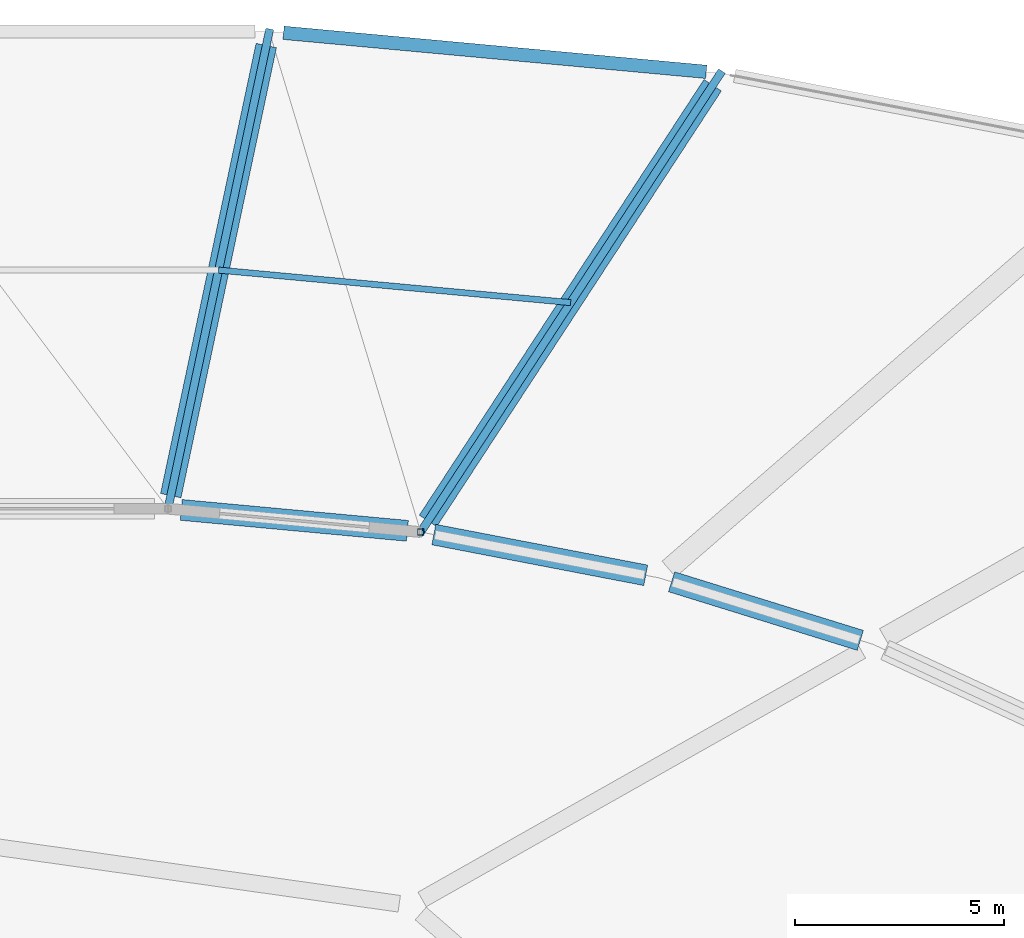
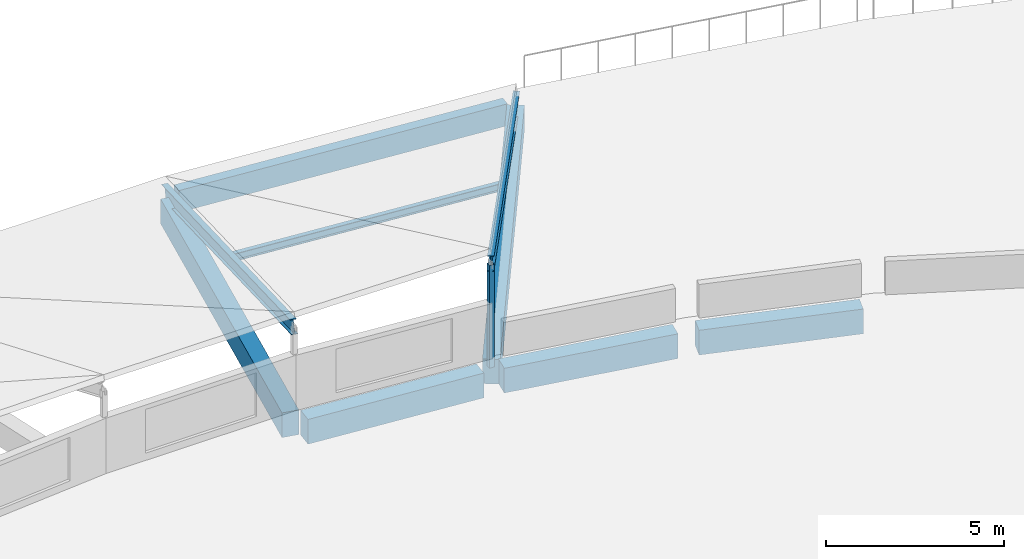
# One storey, part 71 of 142: 6 beams, 4 members.
"""IFC4 building model written with IfcOpenShell, lengths in metres."""

from ifc_helpers import new_model, si_unit, direction, frame, origin, origin_2d, place, context, subcontext, project, spatial, rectangle, hollow_rectangle, i_section, extrude, material, material_profile, profile_set, type_object, element, save


model = new_model("IFC4")

# Units and contexts
model_context = context("Model", 3, precision=1e-05, world=origin(), true_north=direction((0.0, 1.0)))
body_context = subcontext(model_context, "Body", "Model", "MODEL_VIEW")
ifc_project = project(units=[si_unit("LENGTHUNIT", "METRE"), si_unit("AREAUNIT", "SQUARE_METRE"), si_unit("VOLUMEUNIT", "CUBIC_METRE"), si_unit("PLANEANGLEUNIT", "RADIAN"), si_unit("MASSUNIT", "GRAM", prefix="KILO")], contexts=[model_context])

# Site, building, storey
site_placement = place(None, origin())
site = spatial("IfcSite", under=ifc_project, at=site_placement, CompositionType="ELEMENT")
building_placement = place(site_placement, origin())
building = spatial("IfcBuilding", under=site, at=building_placement, Name="Corvandel Quay Wholesale Market", CompositionType="ELEMENT")
storey_placement = place(building_placement, frame((0.0, 0.0, 10.800048828125)))
storey = spatial("IfcBuildingStorey", under=building, at=storey_placement, Name="L02", CompositionType="ELEMENT", Elevation=10.800048828125)

# Beams
ifc_material_1 = material(Name="Precast concrete C45/55", Category="concrete")
ifc_material_profile_1 = material_profile(ifc_material_1, rectangle(XDim=0.5, YDim=0.85009765625, at=origin_2d()), Name="PC-GIR-500x850")
ifc_profile_set_1 = profile_set([ifc_material_profile_1], Name="Precast concrete C45/55")
beam_type_1 = type_object("IfcBeamType", Name="Fish Hall Radial Girder G04 500x850", PredefinedType="USERDEFINED", material=ifc_profile_set_1)
beam_1_placement = place(storey_placement, frame((133.685302734375, 127.40380859375, -0.7451171875), z_axis=(-0.955058603289, 0.296417044522, 0.0), x_axis=(-0.296417044522, -0.955058603289, 0.0)))
element("IfcBeam", 1, at=beam_1_placement, inside=storey, type_object=beam_type_1, Name="Beam BM-0555", ObjectType="GIRDER", PredefinedType="USERDEFINED", context=body_context, shape_type="SweptSolid", body=[
    extrude(rectangle(XDim=0.5, YDim=0.85009765625, at=origin_2d()), origin(), (0.0, 0.0, 1.0), 4.737548828125),
])
beam_2_placement = place(storey_placement, frame((128.540771484375, 128.96337890625, -0.7451171875), z_axis=(-0.982025294811, 0.188749358548, 0.0), x_axis=(-0.188749358548, -0.982025294811, 0.0)))
element("IfcBeam", 2, at=beam_2_placement, inside=storey, type_object=beam_type_1, Name="Beam BM-0562", ObjectType="GIRDER", PredefinedType="USERDEFINED", context=body_context, shape_type="SweptSolid", body=[
    extrude(rectangle(XDim=0.5, YDim=0.85009765625, at=origin_2d()), origin(), (0.0, 0.0, 1.0), 5.172607421875),
])
beam_3_placement = place(storey_placement, frame((122.828369140625, 130.029541015625, -0.7451171875), z_axis=(-0.995756442366, 0.092027753895, 0.0), x_axis=(-0.092027753895, -0.995756442366, 0.0)))
element("IfcBeam", 3, at=beam_3_placement, inside=storey, type_object=beam_type_1, Name="Beam BM-0568", ObjectType="GIRDER", PredefinedType="USERDEFINED", context=body_context, shape_type="SweptSolid", body=[
    extrude(rectangle(XDim=0.5, YDim=0.85009765625, at=origin_2d()), origin(), (0.0, 0.0, 1.0), 5.44384765625),
])
beam_4_placement = place(storey_placement, frame((130.146240234375, 140.712158203125, -0.7451171875), z_axis=(-0.546981498626, -0.837144694877, 0.0), x_axis=(0.837144694877, -0.546981498626, 0.0)))
element("IfcBeam", 4, at=beam_4_placement, inside=storey, type_object=beam_type_1, Name="Beam BM-0569", ObjectType="GIRDER", PredefinedType="USERDEFINED", context=body_context, shape_type="SweptSolid", body=[
    extrude(rectangle(XDim=0.5, YDim=0.85009765625, at=origin_2d()), origin(), (0.0, 0.0, 1.0), 12.47607421875),
])
beam_5_placement = place(storey_placement, frame((119.4443359375, 141.66259765625, -0.7451171875), z_axis=(-0.207515120209, -0.978231810403, 0.0), x_axis=(0.978231810403, -0.207515120209, 0.0)))
element("IfcBeam", 5, at=beam_5_placement, inside=storey, type_object=beam_type_1, Name="Beam BM-0576", ObjectType="GIRDER", PredefinedType="USERDEFINED", context=body_context, shape_type="SweptSolid", body=[
    extrude(rectangle(XDim=0.5, YDim=0.85009765625, at=origin_2d()), origin(), (0.0, 0.0, 1.0), 11.029541015625),
])
ifc_material_profile_2 = material_profile(ifc_material_1, rectangle(XDim=0.320068359375, YDim=0.75, at=origin_2d()), Name="PC-SPN-320x750")
ifc_profile_set_2 = profile_set([ifc_material_profile_2], Name="Precast concrete C45/55")
beam_type_2 = type_object("IfcBeamType", Name="Pavilion Precast Spandrel SP02 320x750", PredefinedType="SPANDREL", material=ifc_profile_set_2)
beam_6_placement = place(storey_placement, frame((129.991455078125, 141.03271484375, -0.695068359375), z_axis=(-0.995763975637, 0.091946206136, 0.0), x_axis=(-0.091946206136, -0.995763975637, 0.0)))
element("IfcBeam", 6, at=beam_6_placement, inside=storey, type_object=beam_type_2, Name="Beam BM-0567", PredefinedType="SPANDREL", context=body_context, shape_type="SweptSolid", body=[
    extrude(rectangle(XDim=0.320068359375, YDim=0.75, at=origin_2d()), origin(), (0.0, 0.0, 1.0), 10.175048828125),
])

# Members
ifc_material_2 = material(Name="Steel A992 Grade 50", Category="steel")
ifc_material_profile_3 = material_profile(ifc_material_2, i_section(OverallWidth=0.14697265625, OverallDepth=0.261962890625, WebThickness=0.006591796875, FlangeThickness=0.01123046875, at=origin_2d()), Name="W10X26")
ifc_profile_set_3 = profile_set([ifc_material_profile_3], Name="Steel A992 Grade 50")
member_type_1 = type_object("IfcMemberType", Name="Roof Clerestory Purlin Rafter RF03 W10X26", PredefinedType="RAFTER", material=ifc_profile_set_3)
member_1_placement = place(storey_placement, frame((126.740966796875, 135.50048828125, 1.281005859375), z_axis=(-0.995760145254, 0.091987679198, 0.0), x_axis=(-0.091987679198, -0.995760145254, 0.0)))
element("IfcMember", 7, at=member_1_placement, inside=storey, type_object=member_type_1, Name="Member MEM-0003", PredefinedType="RAFTER", context=body_context, shape_type="SweptSolid", body=[
    extrude(i_section(OverallWidth=0.14697265625, OverallDepth=0.261962890625, WebThickness=0.006591796875, FlangeThickness=0.01123046875, at=origin_2d()), origin(), (0.0, 0.0, 1.0), 8.474365234375),
])
ifc_material_profile_4 = material_profile(ifc_material_2, i_section(OverallWidth=0.19091796875, OverallDepth=0.4599609375, WebThickness=0.010009765625, FlangeThickness=0.01611328125, at=origin_2d()), Name="W18X55")
ifc_profile_set_4 = profile_set([ifc_material_profile_4], Name="Steel A992 Grade 50")
member_type_2 = type_object("IfcMemberType", Name="Sawtooth Clerestory Rafter RF02 W18X55", PredefinedType="RAFTER", material=ifc_profile_set_4)
member_2_placement = place(storey_placement, frame((130.3349609375, 141.0009765625, -0.340087890625), z_axis=(-0.528348511572, -0.808619792522, 0.258808580731), x_axis=(0.837142380176, -0.546985041215, 0.0)))
element("IfcMember", 8, at=member_2_placement, inside=storey, type_object=member_type_2, Name="Member MEM-0001", PredefinedType="RAFTER", context=body_context, shape_type="SweptSolid", body=[
    extrude(i_section(OverallWidth=0.19091796875, OverallDepth=0.4599609375, WebThickness=0.010009765625, FlangeThickness=0.01611328125, at=origin_2d()), origin(), (0.0, 0.0, 1.0), 13.604736328125),
])
member_3_placement = place(storey_placement, frame((119.51611328125, 142.0, -0.340087890625), z_axis=(-0.200459070726, -0.944885940658, 0.258856562812), x_axis=(0.978228089234, -0.207532661127, 0.0)))
element("IfcMember", 9, at=member_3_placement, inside=storey, type_object=member_type_2, Name="Member MEM-0004", PredefinedType="RAFTER", context=body_context, shape_type="SweptSolid", body=[
    extrude(i_section(OverallWidth=0.19091796875, OverallDepth=0.4599609375, WebThickness=0.010009765625, FlangeThickness=0.01611328125, at=origin_2d()), origin(), (0.0, 0.0, 1.0), 12.107177734375),
])
ifc_material_3 = material(Name="Steel A500 Grade C", Category="steel")
ifc_material_profile_5 = material_profile(ifc_material_3, hollow_rectangle(XDim=0.152099609375, YDim=0.152099609375, WallThickness=0.0087890625, at=origin_2d()), Name="HSS6X6X3/8")
ifc_profile_set_5 = profile_set([ifc_material_profile_5], Name="Steel A500 Grade C")
member_type_3 = type_object("IfcMemberType", Name="Sawtooth Truss Web Brace BR03 HSS6X6", PredefinedType="BRACE", material=ifc_profile_set_5)
member_4_placement = place(storey_placement, frame((123.14697265625, 130.0, -0.340087890625), z_axis=(0.0, 0.0, 1.0), x_axis=(1.0, 0.0, 0.0)))
element("IfcMember", 10, at=member_4_placement, inside=storey, type_object=member_type_3, Name="Member MEM-0002", PredefinedType="BRACE", context=body_context, shape_type="SweptSolid", body=[
    extrude(hollow_rectangle(XDim=0.152099609375, YDim=0.152099609375, WallThickness=0.0087890625, at=origin_2d()), origin(), (0.0, 0.0, 1.0), 3.52099609375),
])

save(model, "model.ifc")
